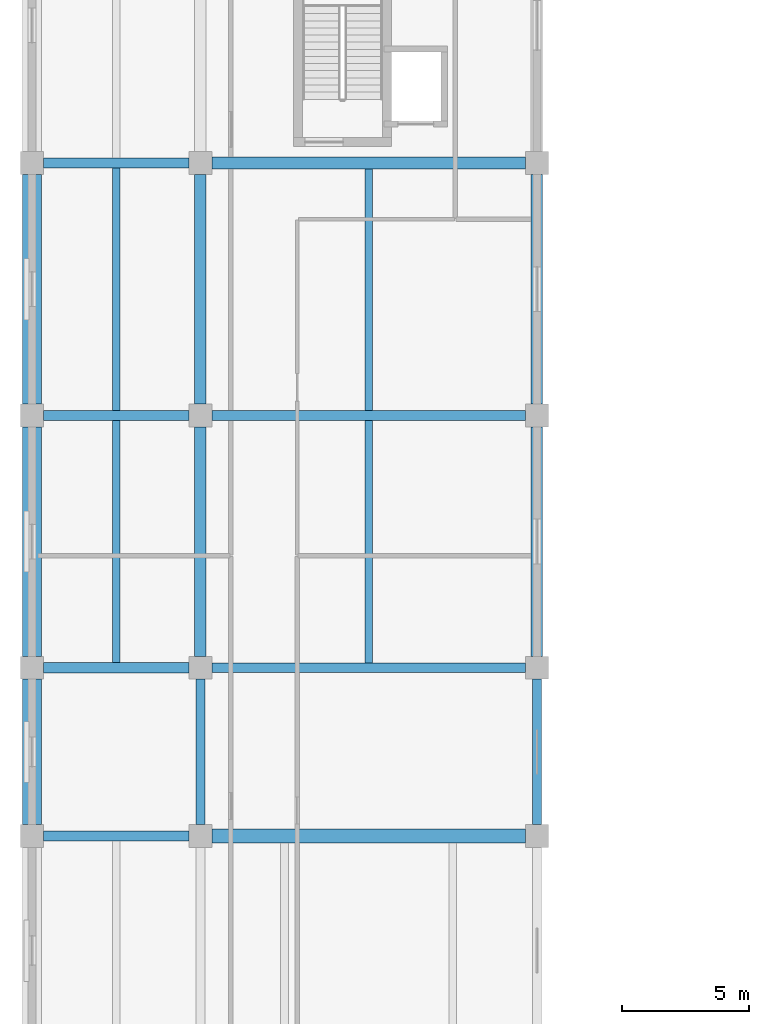
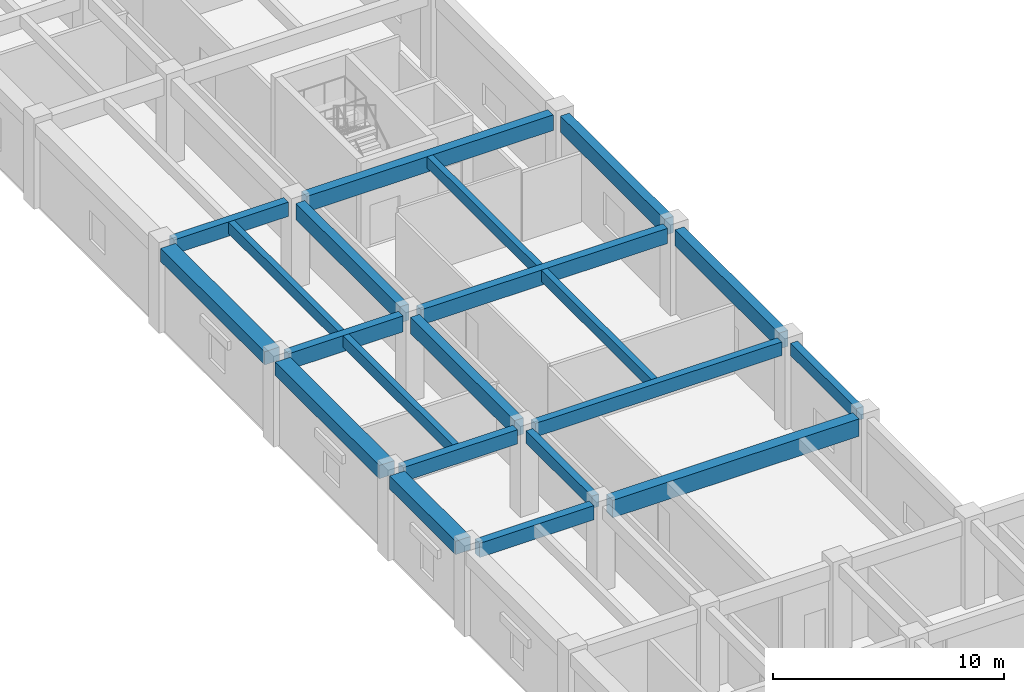
# One storey, part 11 of 68: 21 beams.
"""IFC4 building model written with IfcOpenShell, lengths in metres."""

from ifc_helpers import new_model, si_unit, direction, frame, origin, origin_2d, place, context, subcontext, project, spatial, rectangle, extrude, material, material_profile, profile_set, type_object, element, save


model = new_model("IFC4")

# Units and contexts
model_context = context("Model", 3, precision=1e-05, world=origin(), true_north=direction((0.0, 1.0)))
body_context = subcontext(model_context, "Body", "Model", "MODEL_VIEW")
ifc_project = project(units=[si_unit("LENGTHUNIT", "METRE"), si_unit("AREAUNIT", "SQUARE_METRE"), si_unit("VOLUMEUNIT", "CUBIC_METRE"), si_unit("PLANEANGLEUNIT", "RADIAN"), si_unit("MASSUNIT", "GRAM", prefix="KILO")], contexts=[model_context])

# Site, building, storey
site_placement = place(None, origin())
site = spatial("IfcSite", under=ifc_project, at=site_placement, CompositionType="ELEMENT")
building_placement = place(site_placement, origin())
building = spatial("IfcBuilding", under=site, at=building_placement, Name="Miralva Faculty of Natural Sciences", CompositionType="ELEMENT")
storey_placement = place(building_placement, frame((0.0, 0.0, 5.39990234375)))
storey = spatial("IfcBuildingStorey", under=building, at=storey_placement, Name="L01", CompositionType="ELEMENT", Elevation=5.39990234375)

# Beams
ifc_material = material(Name="Concrete C40/50", Category="concrete")
ifc_material_profile_1 = material_profile(ifc_material, rectangle(XDim=0.449951171875, YDim=0.85009765625, at=origin_2d()), Name="RC 450x850")
ifc_profile_set_1 = profile_set([ifc_material_profile_1], Name="Concrete C40/50")
beam_type_1 = type_object("IfcBeamType", Name="BM-B01", PredefinedType="BEAM", material=ifc_profile_set_1)
for number, where, z_axis, x_axis, name in (
    (1, (9.60009765625, 46.050048828125, 4.05517578125), (0.0, 1.0, 0.0), (-1.0, 0.0, 0.0), "Girder NS L01-114"),
    (2, (9.60009765625, 55.949951171875, 4.05517578125), (0.0, 1.0, 0.0), (-1.0, 0.0, 0.0), "Girder NS L01-115"),
    (3, (22.800048828125, 46.050048828125, 4.05517578125), (0.0, 1.0, 0.0), (-1.0, 0.0, 0.0), "Girder NS L01-130"),
    (4, (22.800048828125, 55.949951171875, 4.05517578125), (0.0, 1.0, 0.0), (-1.0, 0.0, 0.0), "Girder NS L01-131"),
):
    element("IfcBeam", number, at=place(storey_placement, frame(where, z_axis=z_axis, x_axis=x_axis)), inside=storey, type_object=beam_type_1, Name=name, PredefinedType="BEAM", context=body_context, shape_type="SweptSolid", body=[
        extrude(rectangle(XDim=0.449951171875, YDim=0.85009765625, at=origin_2d()), origin(), (0.0, 0.0, 1.0), 9.0),
    ])
ifc_material_profile_2 = material_profile(ifc_material, rectangle(XDim=0.39990234375, YDim=0.800048828125, at=origin_2d()), Name="RC 400x800")
ifc_profile_set_2 = profile_set([ifc_material_profile_2], Name="Concrete C40/50")
beam_type_2 = type_object("IfcBeamType", Name="BM-B02", PredefinedType="BEAM", material=ifc_profile_set_2)
beam_1_placement = place(storey_placement, frame((10.050048828125, 55.5, 4.080078125), z_axis=(1.0, 0.0, 0.0), x_axis=(0.0, 1.0, 0.0)))
element("IfcBeam", 5, at=beam_1_placement, inside=storey, type_object=beam_type_2, Name="Girder EW L01-52", PredefinedType="BEAM", context=body_context, shape_type="SweptSolid", body=[
    extrude(rectangle(XDim=0.39990234375, YDim=0.800048828125, at=origin_2d()), origin(), (0.0, 0.0, 1.0), 12.300048828125),
])
ifc_material_profile_3 = material_profile(ifc_material, rectangle(XDim=0.39990234375, YDim=0.75, at=origin_2d()), Name="RC 400x750")
ifc_profile_set_3 = profile_set([ifc_material_profile_3], Name="Concrete C40/50")
beam_type_3 = type_object("IfcBeamType", Name="BM-B03", PredefinedType="BEAM", material=ifc_profile_set_3)
for number, where, z_axis, x_axis, name in (
    (6, (3.449951171875, 39.0, 4.10498046875), (1.0, 0.0, 0.0), (0.0, 1.0, 0.0), "Girder EW L01-40"),
    (7, (3.449951171875, 45.60009765625, 4.10498046875), (1.0, 0.0, 0.0), (0.0, 1.0, 0.0), "Girder EW L01-46"),
    (8, (3.449951171875, 65.39990234375, 4.10498046875), (1.0, 0.0, 0.0), (0.0, 1.0, 0.0), "Girder EW L01-56"),
):
    element("IfcBeam", number, at=place(storey_placement, frame(where, z_axis=z_axis, x_axis=x_axis)), inside=storey, type_object=beam_type_3, Name=name, PredefinedType="BEAM", context=body_context, shape_type="SweptSolid", body=[
        extrude(rectangle(XDim=0.39990234375, YDim=0.75, at=origin_2d()), origin(), (0.0, 0.0, 1.0), 5.699951171875),
    ])
ifc_material_profile_4 = material_profile(ifc_material, rectangle(XDim=0.35009765625, YDim=0.64990234375, at=origin_2d()), Name="RC 350x650")
ifc_profile_set_4 = profile_set([ifc_material_profile_4], Name="Concrete C40/50")
beam_type_4 = type_object("IfcBeamType", Name="BM-B05", PredefinedType="BEAM", material=ifc_profile_set_4)
for number, where, z_axis, x_axis, name in (
    (9, (9.60009765625, 39.449951171875, 4.155029296875), (0.0, 1.0, 0.0), (-1.0, 0.0, 0.0), "Girder NS L01-113"),
    (10, (22.800048828125, 39.449951171875, 4.155029296875), (0.0, 1.0, 0.0), (-1.0, 0.0, 0.0), "Girder NS L01-129"),
):
    element("IfcBeam", number, at=place(storey_placement, frame(where, z_axis=z_axis, x_axis=x_axis)), inside=storey, type_object=beam_type_4, Name=name, PredefinedType="BEAM", context=body_context, shape_type="SweptSolid", body=[
        extrude(rectangle(XDim=0.35009765625, YDim=0.64990234375, at=origin_2d()), origin(), (0.0, 0.0, 1.0), 5.699951171875),
    ])
ifc_material_profile_5 = material_profile(ifc_material, rectangle(XDim=0.360107421875, YDim=0.719970703125, at=origin_2d()), Name="RC 360x720")
ifc_profile_set_5 = profile_set([ifc_material_profile_5], Name="Concrete C40/50")
beam_type_5 = type_object("IfcBeamType", Name="BM-BG05", PredefinedType="BEAM", material=ifc_profile_set_5)
beam_2_placement = place(storey_placement, frame((10.050048828125, 45.60009765625, 4.1201171875), z_axis=(1.0, 0.0, 0.0), x_axis=(0.0, 1.0, 0.0)))
element("IfcBeam", 11, at=beam_2_placement, inside=storey, type_object=beam_type_5, Name="Girder EW L01-47", PredefinedType="BEAM", context=body_context, shape_type="SweptSolid", body=[
    extrude(rectangle(XDim=0.360107421875, YDim=0.719970703125, at=origin_2d()), origin(), (0.0, 0.0, 1.0), 12.300048828125),
])
ifc_material_profile_6 = material_profile(ifc_material, rectangle(XDim=0.39990234375, YDim=0.840087890625, at=origin_2d()), Name="RC 400x840")
ifc_profile_set_6 = profile_set([ifc_material_profile_6], Name="Concrete C40/50")
beam_type_6 = type_object("IfcBeamType", Name="BM-BG09", PredefinedType="BEAM", material=ifc_profile_set_6)
beam_3_placement = place(storey_placement, frame((3.449951171875, 55.5, 4.06005859375), z_axis=(1.0, 0.0, 0.0), x_axis=(0.0, 1.0, 0.0)))
element("IfcBeam", 12, at=beam_3_placement, inside=storey, type_object=beam_type_6, Name="Girder EW L01-51", PredefinedType="BEAM", context=body_context, shape_type="SweptSolid", body=[
    extrude(rectangle(XDim=0.39990234375, YDim=0.840087890625, at=origin_2d()), origin(), (0.0, 0.0, 1.0), 5.699951171875),
])
ifc_material_profile_7 = material_profile(ifc_material, rectangle(XDim=0.4599609375, YDim=0.820068359375, at=origin_2d()), Name="RC 460x820")
ifc_profile_set_7 = profile_set([ifc_material_profile_7], Name="Concrete C40/50")
beam_type_7 = type_object("IfcBeamType", Name="BM-BG15", PredefinedType="BEAM", material=ifc_profile_set_7)
beam_4_placement = place(storey_placement, frame((10.050048828125, 65.39990234375, 4.070068359375), z_axis=(1.0, 0.0, 0.0), x_axis=(0.0, 1.0, 0.0)))
element("IfcBeam", 13, at=beam_4_placement, inside=storey, type_object=beam_type_7, Name="Girder EW L01-57", PredefinedType="BEAM", context=body_context, shape_type="SweptSolid", body=[
    extrude(rectangle(XDim=0.4599609375, YDim=0.820068359375, at=origin_2d()), origin(), (0.0, 0.0, 1.0), 12.300048828125),
])
ifc_material_profile_8 = material_profile(ifc_material, rectangle(XDim=0.5400390625, YDim=0.919921875, at=origin_2d()), Name="RC 540x920")
ifc_profile_set_8 = profile_set([ifc_material_profile_8], Name="Concrete C40/50")
beam_type_8 = type_object("IfcBeamType", Name="BM-BG21", PredefinedType="BEAM", material=ifc_profile_set_8)
beam_5_placement = place(storey_placement, frame((10.050048828125, 39.0, 4.02001953125), z_axis=(1.0, 0.0, 0.0), x_axis=(0.0, 1.0, 0.0)))
element("IfcBeam", 14, at=beam_5_placement, inside=storey, type_object=beam_type_8, Name="Girder EW L01-41", PredefinedType="BEAM", context=body_context, shape_type="SweptSolid", body=[
    extrude(rectangle(XDim=0.5400390625, YDim=0.919921875, at=origin_2d()), origin(), (0.0, 0.0, 1.0), 12.300048828125),
])
ifc_material_profile_9 = material_profile(ifc_material, rectangle(XDim=0.300048828125, YDim=0.60009765625, at=origin_2d()), Name="RC 300x600")
ifc_profile_set_9 = profile_set([ifc_material_profile_9], Name="Concrete C40/50")
beam_type_9 = type_object("IfcBeamType", Name="BM-J01", PredefinedType="JOIST", material=ifc_profile_set_9)
beam_6_placement = place(storey_placement, frame((6.300048828125, 45.800048828125, 4.18017578125), z_axis=(0.0, 1.0, 0.0), x_axis=(-1.0, 0.0, 0.0)))
element("IfcBeam", 15, at=beam_6_placement, inside=storey, type_object=beam_type_9, Name="Floor joist L01-12", PredefinedType="JOIST", context=body_context, shape_type="SweptSolid", body=[
    extrude(rectangle(XDim=0.300048828125, YDim=0.60009765625, at=origin_2d()), origin(), (0.0, 0.0, 1.0), 9.5),
])
beam_7_placement = place(storey_placement, frame((16.199951171875, 45.780029296875, 4.18017578125), z_axis=(0.0, 1.0, 0.0), x_axis=(-1.0, 0.0, 0.0)))
element("IfcBeam", 16, at=beam_7_placement, inside=storey, type_object=beam_type_9, Name="Floor joist L01-13", PredefinedType="JOIST", context=body_context, shape_type="SweptSolid", body=[
    extrude(rectangle(XDim=0.300048828125, YDim=0.60009765625, at=origin_2d()), origin(), (0.0, 0.0, 1.0), 9.52001953125),
])
beam_8_placement = place(storey_placement, frame((6.300048828125, 55.699951171875, 4.18017578125), z_axis=(0.0, 1.0, 0.0), x_axis=(-1.0, 0.0, 0.0)))
element("IfcBeam", 17, at=beam_8_placement, inside=storey, type_object=beam_type_9, Name="Floor joist L01-17", PredefinedType="JOIST", context=body_context, shape_type="SweptSolid", body=[
    extrude(rectangle(XDim=0.300048828125, YDim=0.60009765625, at=origin_2d()), origin(), (0.0, 0.0, 1.0), 9.5),
])
beam_9_placement = place(storey_placement, frame((16.199951171875, 55.699951171875, 4.18017578125), z_axis=(0.0, 1.0, 0.0), x_axis=(-1.0, 0.0, 0.0)))
element("IfcBeam", 18, at=beam_9_placement, inside=storey, type_object=beam_type_9, Name="Floor joist L01-18", PredefinedType="JOIST", context=body_context, shape_type="SweptSolid", body=[
    extrude(rectangle(XDim=0.300048828125, YDim=0.60009765625, at=origin_2d()), origin(), (0.0, 0.0, 1.0), 9.469970703125),
])
ifc_material_profile_10 = material_profile(ifc_material, rectangle(XDim=0.75, YDim=0.699951171875, at=origin_2d()), Name="RC 750x700")
ifc_profile_set_10 = profile_set([ifc_material_profile_10], Name="Concrete C40/50")
beam_type_10 = type_object("IfcBeamType", Name="BM-SP01", PredefinedType="SPANDREL", material=ifc_profile_set_10)
beam_10_placement = place(storey_placement, frame((3.0, 39.449951171875, 4.130126953125), z_axis=(0.0, 1.0, 0.0), x_axis=(-1.0, 0.0, 0.0)))
element("IfcBeam", 19, at=beam_10_placement, inside=storey, type_object=beam_type_10, Name="Girder NS L01-100", PredefinedType="SPANDREL", context=body_context, shape_type="SweptSolid", body=[
    extrude(rectangle(XDim=0.75, YDim=0.699951171875, at=origin_2d()), origin(), (0.0, 0.0, 1.0), 5.699951171875),
])
for number, where, z_axis, x_axis, name in (
    (20, (3.0, 46.050048828125, 4.130126953125), (0.0, 1.0, 0.0), (-1.0, 0.0, 0.0), "Girder NS L01-101"),
    (21, (3.0, 55.949951171875, 4.130126953125), (0.0, 1.0, 0.0), (-1.0, 0.0, 0.0), "Girder NS L01-102"),
):
    element("IfcBeam", number, at=place(storey_placement, frame(where, z_axis=z_axis, x_axis=x_axis)), inside=storey, type_object=beam_type_10, Name=name, PredefinedType="SPANDREL", context=body_context, shape_type="SweptSolid", body=[
        extrude(rectangle(XDim=0.75, YDim=0.699951171875, at=origin_2d()), origin(), (0.0, 0.0, 1.0), 9.0),
    ])

save(model, "model.ifc")
